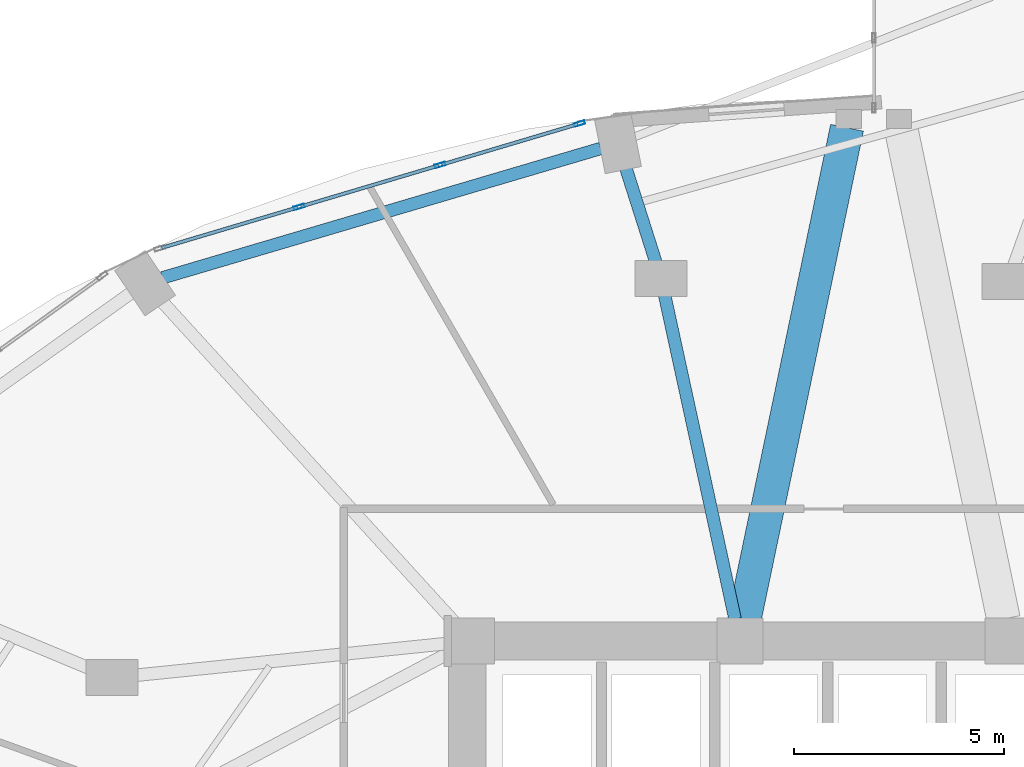
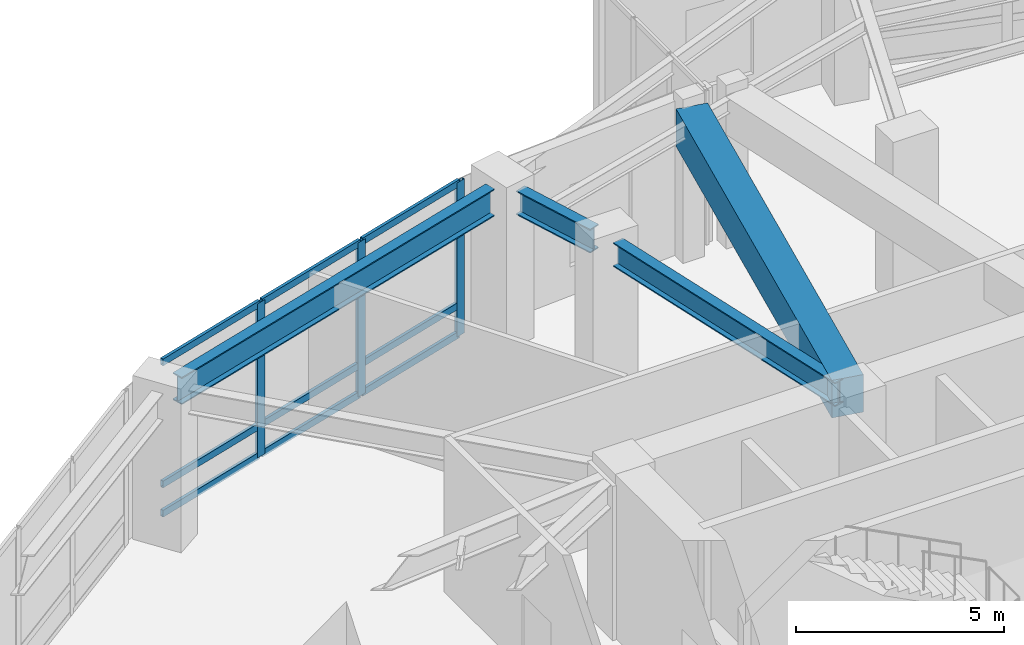
# One storey, part 14 of 24: 12 members, 4 beams, 1 element without a shape of its own.
"""IFC4 building model written with IfcOpenShell, lengths in metres."""

from ifc_helpers import new_model, si_unit, direction, frame, origin, origin_2d, place, context, subcontext, project, spatial, rectangle, hollow_rectangle, i_section, extrude, material, layer, layer_set, material_profile, profile_set, type_object, element, aggregate, save


model = new_model("IFC4")

# Units and contexts
model_context = context("Model", 3, precision=1e-05, world=origin(), true_north=direction((0.0, 1.0)))
body_context = subcontext(model_context, "Body", "Model", "MODEL_VIEW")
ifc_project = project(units=[si_unit("LENGTHUNIT", "METRE"), si_unit("AREAUNIT", "SQUARE_METRE"), si_unit("VOLUMEUNIT", "CUBIC_METRE"), si_unit("PLANEANGLEUNIT", "RADIAN"), si_unit("MASSUNIT", "GRAM", prefix="KILO")], contexts=[model_context])

# Site, building, storey
site_placement = place(None, origin())
site = spatial("IfcSite", under=ifc_project, at=site_placement, CompositionType="ELEMENT")
building_placement = place(site_placement, origin())
building = spatial("IfcBuilding", under=site, at=building_placement, Name="Lazwardi Medical Tower", CompositionType="ELEMENT")
storey_placement = place(building_placement, frame((0.0, 0.0, 15.60009765625)))
storey = spatial("IfcBuildingStorey", under=building, at=storey_placement, Name="L03", CompositionType="ELEMENT", Elevation=15.60009765625)

# Beams
ifc_material_1 = material(Name="Concrete C70/85", Category="concrete")
ifc_material_profile_1 = material_profile(ifc_material_1, rectangle(XDim=0.800048828125, YDim=1.10009765625, at=origin_2d()), Name="RC 800x1100")
ifc_profile_set_1 = profile_set([ifc_material_profile_1], Name="Concrete C70/85")
beam_type_1 = type_object("IfcBeamType", Name="BM-CB-RC1", PredefinedType="LINTEL", material=ifc_profile_set_1)
beam_1_placement = place(storey_placement, frame((32.909423828125, 36.123779296875, 3.969970703125), z_axis=(0.204429747009, 0.978881238219, 0.0), x_axis=(-0.978881238219, 0.204429747009, 0.0)))
element("IfcBeam", 1, at=beam_1_placement, inside=storey, type_object=beam_type_1, Name="Core coupling lintel CB-01 PL1 L03", PredefinedType="LINTEL", context=body_context, shape_type="SweptSolid", body=[
    extrude(rectangle(XDim=0.800048828125, YDim=1.10009765625, at=origin_2d()), origin(), (0.0, 0.0, 1.0), 11.9736328125),
])
ifc_material_2 = material(Name="Steel S355", Category="steel")
ifc_material_profile_2 = material_profile(ifc_material_2, i_section(OverallWidth=0.300048828125, OverallDepth=0.800048828125, WebThickness=0.017578125, FlangeThickness=0.032958984375, at=origin_2d()), Name="HEB 800")
ifc_profile_set_2 = profile_set([ifc_material_profile_2], Name="Steel S355")
beam_type_2 = type_object("IfcBeamType", Name="BM-RB-P1", PredefinedType="BEAM", material=ifc_profile_set_2)
beam_2_placement = place(storey_placement, frame((29.481201171875, 47.349853515625, 4.119873046875), z_axis=(-0.959103395471, -0.283055960537, 0.0), x_axis=(0.283055960537, -0.959103395471, 0.0)))
element("IfcBeam", 2, at=beam_2_placement, inside=storey, type_object=beam_type_2, Name="Ring beam RB-01 B09 L03", PredefinedType="BEAM", context=body_context, shape_type="SweptSolid", body=[
    extrude(i_section(OverallWidth=0.300048828125, OverallDepth=0.800048828125, WebThickness=0.017578125, FlangeThickness=0.032958984375, at=origin_2d()), origin(), (0.0, 0.0, 1.0), 10.904052734375),
])
ifc_material_profile_3 = material_profile(ifc_material_2, i_section(OverallWidth=0.300048828125, OverallDepth=0.699951171875, WebThickness=0.01708984375, FlangeThickness=0.031982421875, at=origin_2d()), Name="HEB 700")
ifc_profile_set_3 = profile_set([ifc_material_profile_3], Name="Steel S355")
beam_type_3 = type_object("IfcBeamType", Name="BM-RG-P1", PredefinedType="BEAM", material=ifc_profile_set_3)
beam_3_placement = place(storey_placement, frame((30.06982421875, 46.9189453125, 4.169921875), z_axis=(0.303510012158, -0.952828249224, 0.0), x_axis=(0.952828249224, 0.303510012158, 0.0)))
element("IfcBeam", 3, at=beam_3_placement, inside=storey, type_object=beam_type_3, Name="Radial girder RG-01 R09A L03", PredefinedType="BEAM", context=body_context, shape_type="SweptSolid", body=[
    extrude(i_section(OverallWidth=0.300048828125, OverallDepth=0.699951171875, WebThickness=0.01708984375, FlangeThickness=0.031982421875, at=origin_2d()), origin(), (0.0, 0.0, 1.0), 2.401123046875),
])
beam_4_placement = place(storey_placement, frame((31.0048828125, 43.859130859375, 4.169921875), z_axis=(0.212379713587, -0.977187217096, 0.0), x_axis=(0.977187217096, 0.212379713587, 0.0)))
element("IfcBeam", 4, at=beam_4_placement, inside=storey, type_object=beam_type_3, Name="Radial girder RG-01 R09B L03", PredefinedType="BEAM", context=body_context, shape_type="SweptSolid", body=[
    extrude(i_section(OverallWidth=0.300048828125, OverallDepth=0.699951171875, WebThickness=0.01708984375, FlangeThickness=0.031982421875, at=origin_2d()), origin(), (0.0, 0.0, 1.0), 7.9169921875),
])

# Curtain wall, members
ifc_material_3 = material(Name="Anodised bronze aluminium and solar control glazing", Category="aluminium")
ifc_layer = layer(ifc_material_3, 0.219970703125)
ifc_layer_set = layer_set([ifc_layer], Name="Anodised bronze aluminium and solar control glazing")
curtain_wall_type = type_object("IfcCurtainWallType", Name="CW-SYS-01", PredefinedType="NOTDEFINED", material=ifc_layer_set)
curtain_wall_placement = place(storey_placement, origin())
curtain_wall = element("IfcCurtainWall", 5, at=curtain_wall_placement, inside=storey, type_object=curtain_wall_type, Name="L03 Unitised bronze curtain wall CW-01", PredefinedType="NOTDEFINED")
ifc_material_4 = material(Name="Anodised bronze aluminium", Category="aluminium")
ifc_material_profile_4 = material_profile(ifc_material_4, hollow_rectangle(XDim=0.0849609375, YDim=0.260009765625, WallThickness=0.0048828125, at=origin_2d()), Name="ALU-MULLION 260x85x5")
ifc_profile_set_4 = profile_set([ifc_material_profile_4], Name="Anodised bronze aluminium")
member_type_1 = type_object("IfcMemberType", Name="CW-MUL-02", PredefinedType="MULLION", material=ifc_profile_set_4)
member_1_placement = place(storey_placement, frame((28.97119140625, 47.94189453125, 0.0), z_axis=(0.0, 0.0, 1.0), x_axis=(0.285047195531, -0.958513482597, 0.0)))
member_1 = element("IfcMember", 6, at=member_1_placement, type_object=member_type_1, Name="CW-01 mullion 1", PredefinedType="MULLION", context=body_context, shape_type="SweptSolid", body=[
    extrude(hollow_rectangle(XDim=0.0849609375, YDim=0.260009765625, WallThickness=0.0048828125, at=origin_2d()), origin(), (0.0, 0.0, 1.0), 4.52001953125),
])
member_2_placement = place(storey_placement, frame((25.649658203125, 46.9541015625, 0.0), z_axis=(0.0, 0.0, 1.0), x_axis=(0.285047195531, -0.958513482597, 0.0)))
member_2 = element("IfcMember", 7, at=member_2_placement, type_object=member_type_1, Name="CW-01 mullion 2", PredefinedType="MULLION", context=body_context, shape_type="SweptSolid", body=[
    extrude(hollow_rectangle(XDim=0.0849609375, YDim=0.260009765625, WallThickness=0.0048828125, at=origin_2d()), origin(), (0.0, 0.0, 1.0), 4.52001953125),
])
member_3_placement = place(storey_placement, frame((22.28759765625, 45.9541015625, 0.0), z_axis=(0.0, 0.0, 1.0), x_axis=(0.285047195531, -0.958513482597, 0.0)))
member_3 = element("IfcMember", 8, at=member_3_placement, type_object=member_type_1, Name="CW-01 mullion 3", PredefinedType="MULLION", context=body_context, shape_type="SweptSolid", body=[
    extrude(hollow_rectangle(XDim=0.0849609375, YDim=0.260009765625, WallThickness=0.0048828125, at=origin_2d()), origin(), (0.0, 0.0, 1.0), 4.52001953125),
])
ifc_material_profile_5 = material_profile(ifc_material_4, hollow_rectangle(XDim=0.0849609375, YDim=0.199951171875, WallThickness=0.00439453125, at=origin_2d()), Name="ALU-TRANSOM 200x85x4.5")
ifc_profile_set_5 = profile_set([ifc_material_profile_5], Name="Anodised bronze aluminium")
member_type_2 = type_object("IfcMemberType", Name="CW-TRN-02", PredefinedType="USERDEFINED", material=ifc_profile_set_5)
member_4_placement = place(storey_placement, frame((28.930419921875, 47.9296875, 0.04248046875), z_axis=(-0.958505424522, -0.285074290603, 0.0), x_axis=(0.285074290603, -0.958505424522, 0.0)))
member_4 = element("IfcMember", 9, at=member_4_placement, type_object=member_type_2, Name="CW-01 transom 1.1", ObjectType="TRANSOM", PredefinedType="USERDEFINED", context=body_context, shape_type="SweptSolid", body=[
    extrude(hollow_rectangle(XDim=0.0849609375, YDim=0.199951171875, WallThickness=0.00439453125, at=origin_2d()), origin(), (0.0, 0.0, 1.0), 3.38037109375),
])
member_5_placement = place(storey_placement, frame((28.930419921875, 47.9296875, 0.89990234375), z_axis=(-0.958505424522, -0.285074290603, 0.0), x_axis=(0.285074290603, -0.958505424522, 0.0)))
member_5 = element("IfcMember", 10, at=member_5_placement, type_object=member_type_2, Name="CW-01 transom 1.2", ObjectType="TRANSOM", PredefinedType="USERDEFINED", context=body_context, shape_type="SweptSolid", body=[
    extrude(hollow_rectangle(XDim=0.0849609375, YDim=0.199951171875, WallThickness=0.00439453125, at=origin_2d()), origin(), (0.0, 0.0, 1.0), 3.38037109375),
])
member_6_placement = place(storey_placement, frame((28.930419921875, 47.9296875, 4.477294921875), z_axis=(-0.958505424522, -0.285074290603, 0.0), x_axis=(0.285074290603, -0.958505424522, 0.0)))
member_6 = element("IfcMember", 11, at=member_6_placement, type_object=member_type_2, Name="CW-01 transom 1.3", ObjectType="TRANSOM", PredefinedType="USERDEFINED", context=body_context, shape_type="SweptSolid", body=[
    extrude(hollow_rectangle(XDim=0.0849609375, YDim=0.199951171875, WallThickness=0.00439453125, at=origin_2d()), origin(), (0.0, 0.0, 1.0), 3.38037109375),
])
member_7_placement = place(storey_placement, frame((25.60888671875, 46.94189453125, 0.04248046875), z_axis=(-0.958518450342, -0.285030490219, 0.0), x_axis=(0.285030490219, -0.958518450342, 0.0)))
member_7 = element("IfcMember", 12, at=member_7_placement, type_object=member_type_2, Name="CW-01 transom 2.1", ObjectType="TRANSOM", PredefinedType="USERDEFINED", context=body_context, shape_type="SweptSolid", body=[
    extrude(hollow_rectangle(XDim=0.0849609375, YDim=0.199951171875, WallThickness=0.00439453125, at=origin_2d()), origin(), (0.0, 0.0, 1.0), 3.4228515625),
])
member_8_placement = place(storey_placement, frame((25.60888671875, 46.94189453125, 0.89990234375), z_axis=(-0.958518450342, -0.285030490219, 0.0), x_axis=(0.285030490219, -0.958518450342, 0.0)))
member_8 = element("IfcMember", 13, at=member_8_placement, type_object=member_type_2, Name="CW-01 transom 2.2", ObjectType="TRANSOM", PredefinedType="USERDEFINED", context=body_context, shape_type="SweptSolid", body=[
    extrude(hollow_rectangle(XDim=0.0849609375, YDim=0.199951171875, WallThickness=0.00439453125, at=origin_2d()), origin(), (0.0, 0.0, 1.0), 3.4228515625),
])
member_9_placement = place(storey_placement, frame((25.60888671875, 46.94189453125, 4.477294921875), z_axis=(-0.958518450342, -0.285030490219, 0.0), x_axis=(0.285030490219, -0.958518450342, 0.0)))
member_9 = element("IfcMember", 14, at=member_9_placement, type_object=member_type_2, Name="CW-01 transom 2.3", ObjectType="TRANSOM", PredefinedType="USERDEFINED", context=body_context, shape_type="SweptSolid", body=[
    extrude(hollow_rectangle(XDim=0.0849609375, YDim=0.199951171875, WallThickness=0.00439453125, at=origin_2d()), origin(), (0.0, 0.0, 1.0), 3.4228515625),
])
member_10_placement = place(storey_placement, frame((22.246826171875, 45.942138671875, 0.04248046875), z_axis=(-0.958505424522, -0.285074290603, 0.0), x_axis=(0.285074290603, -0.958505424522, 0.0)))
member_10 = element("IfcMember", 15, at=member_10_placement, type_object=member_type_2, Name="CW-01 transom 3.1", ObjectType="TRANSOM", PredefinedType="USERDEFINED", context=body_context, shape_type="SweptSolid", body=[
    extrude(hollow_rectangle(XDim=0.0849609375, YDim=0.199951171875, WallThickness=0.00439453125, at=origin_2d()), origin(), (0.0, 0.0, 1.0), 3.38037109375),
])
member_11_placement = place(storey_placement, frame((22.246826171875, 45.942138671875, 0.89990234375), z_axis=(-0.958505424522, -0.285074290603, 0.0), x_axis=(0.285074290603, -0.958505424522, 0.0)))
member_11 = element("IfcMember", 16, at=member_11_placement, type_object=member_type_2, Name="CW-01 transom 3.2", ObjectType="TRANSOM", PredefinedType="USERDEFINED", context=body_context, shape_type="SweptSolid", body=[
    extrude(hollow_rectangle(XDim=0.0849609375, YDim=0.199951171875, WallThickness=0.00439453125, at=origin_2d()), origin(), (0.0, 0.0, 1.0), 3.38037109375),
])
member_12_placement = place(storey_placement, frame((22.246826171875, 45.942138671875, 4.477294921875), z_axis=(-0.958505424522, -0.285074290603, 0.0), x_axis=(0.285074290603, -0.958505424522, 0.0)))
member_12 = element("IfcMember", 17, at=member_12_placement, type_object=member_type_2, Name="CW-01 transom 3.3", ObjectType="TRANSOM", PredefinedType="USERDEFINED", context=body_context, shape_type="SweptSolid", body=[
    extrude(hollow_rectangle(XDim=0.0849609375, YDim=0.199951171875, WallThickness=0.00439453125, at=origin_2d()), origin(), (0.0, 0.0, 1.0), 3.38037109375),
])
aggregate(curtain_wall, [member_1, member_2, member_3, member_4, member_5, member_6, member_7, member_8, member_9, member_10, member_11, member_12])

save(model, "model.ifc")
